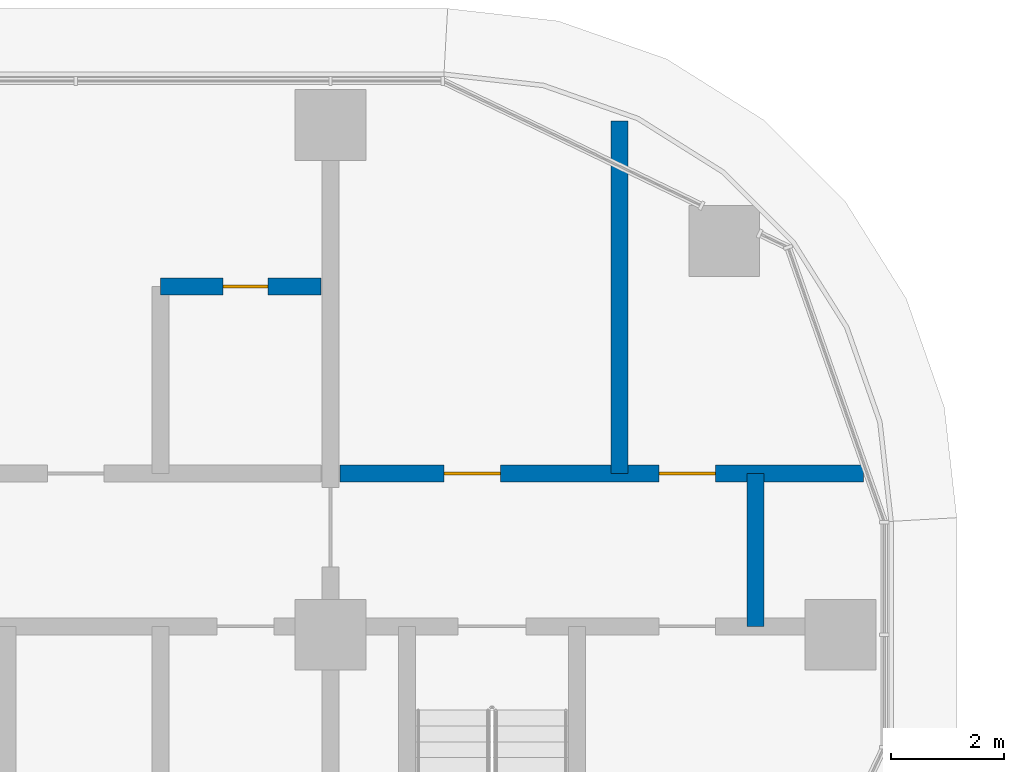
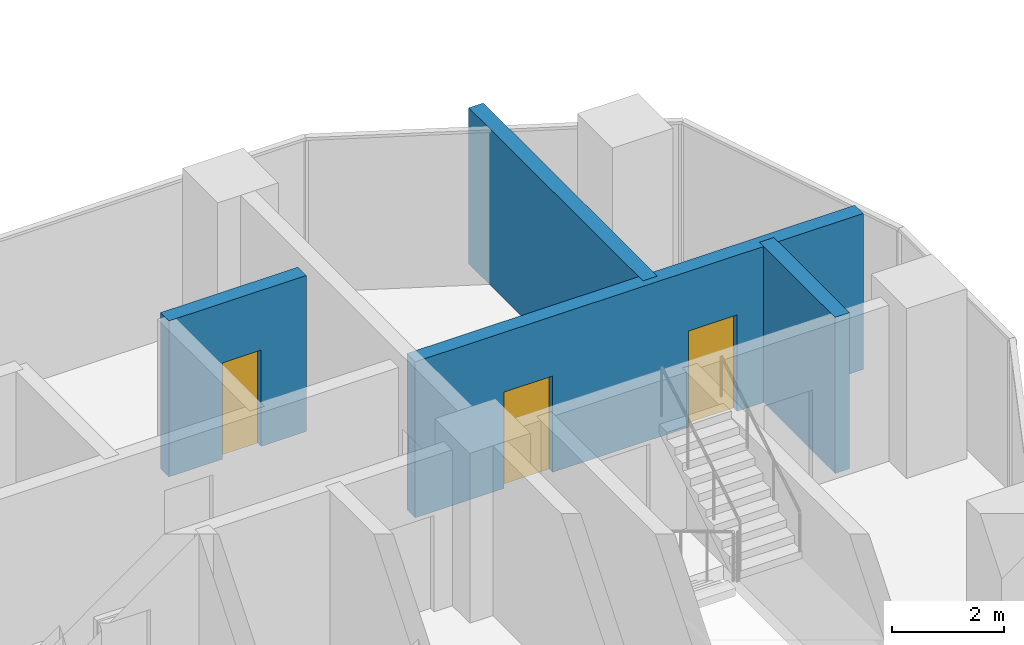
# One storey, part 23 of 40: 4 walls, 3 doors, 3 openings.
"""IFC4 building model written with IfcOpenShell, lengths in metres."""

from ifc_helpers import new_model, si_unit, direction, frame, frame_2d, origin, place, context, subcontext, project, spatial, rectangle, extrude, material, layer, layer_set, type_object, element, fill, save


model = new_model("IFC4")

# Units and contexts
model_context = context("Model", 3, precision=1e-05, world=origin(), true_north=direction((0.0, 1.0)))
body_context = subcontext(model_context, "Body", "Model", "MODEL_VIEW")
ifc_project = project(units=[si_unit("LENGTHUNIT", "METRE"), si_unit("AREAUNIT", "SQUARE_METRE"), si_unit("VOLUMEUNIT", "CUBIC_METRE"), si_unit("PLANEANGLEUNIT", "RADIAN"), si_unit("MASSUNIT", "GRAM", prefix="KILO")], contexts=[model_context])

# Site, building, storey
site_placement = place(None, origin())
site = spatial("IfcSite", under=ifc_project, at=site_placement, CompositionType="ELEMENT")
building_placement = place(site_placement, origin())
building = spatial("IfcBuilding", under=site, at=building_placement, Name="Ogive Portal Towers", CompositionType="ELEMENT")
storey_placement = place(building_placement, frame((0.0, 0.0, 87.10009765625)))
storey = spatial("IfcBuildingStorey", under=building, at=storey_placement, Name="L20", CompositionType="ELEMENT", Elevation=87.10009765625)

# Wall, openings, doors
ifc_material_1 = material(Name="Gypsum board partition on steel studs", Category="steel")
ifc_layer_1 = layer(ifc_material_1, 0.300048828125)
ifc_layer_set_1 = layer_set([ifc_layer_1], Name="WT-PART-300-EI 120")
wall_type_1 = type_object("IfcWallType", Name="WT-PART-300-EI 120", PredefinedType="PARTITIONING", material=ifc_layer_set_1)
wall_1_placement = place(storey_placement, frame((85.669921875, 33.35009765625, 0.0), z_axis=(0.0, 0.0, 1.0), x_axis=(1.0, 0.0, 0.0)))
wall_1 = element("IfcWall", 1, at=wall_1_placement, inside=storey, type_object=wall_type_1, Name="Wall L20:w010", PredefinedType="PARTITIONING", context=body_context, shape_type="SweptSolid", body=[
    extrude(rectangle(XDim=9.237060546875, YDim=0.300048828125, at=frame_2d((4.61865234375, 0.0))), origin(), (0.0, 0.0, 1.0), 3.39990234375),
])
opening_1_placement = place(wall_1_placement, frame((1.830078125, 0.0, 0.0)))
opening_1 = element("IfcOpeningElement", 2, at=opening_1_placement, cuts=wall_1, Name="Opening D07-062", PredefinedType="OPENING", context=body_context, shape_type="SweptSolid", body=[
    extrude(rectangle(XDim=1.0, YDim=2.10009765625, at=frame_2d((0.5, 1.050048828125))), frame((0.0, 0.16015625, 0.0), z_axis=(0.0, -1.0, 0.0), x_axis=(1.0, 0.0, 0.0)), (0.0, 0.0, 1.0), 0.320068359375),
])
opening_2_placement = place(wall_1_placement, frame((5.6298828125, 0.0, 0.0)))
opening_2 = element("IfcOpeningElement", 3, at=opening_2_placement, cuts=wall_1, Name="Opening D07-063", PredefinedType="OPENING", context=body_context, shape_type="SweptSolid", body=[
    extrude(rectangle(XDim=1.0, YDim=2.10009765625, at=frame_2d((0.5, 1.050048828125))), frame((0.0, 0.16015625, 0.0), z_axis=(0.0, -1.0, 0.0), x_axis=(1.0, 0.0, 0.0)), (0.0, 0.0, 1.0), 0.320068359375),
])
ifc_material_2 = material(Name="Steel fire door", Category="steel")
door_type_1 = type_object("IfcDoorType", Name="DT-SERVICE-1000x2100-FD90S", OperationType="SINGLE_SWING_LEFT", PredefinedType="DOOR", material=ifc_material_2)
door_1_placement = place(opening_1_placement, origin())
door_1 = element("IfcDoor", 4, at=door_1_placement, inside=storey, type_object=door_type_1, Name="Door D07-062", OperationType="SINGLE_SWING_LEFT", OverallHeight=2.10009765625, OverallWidth=1.0, PredefinedType="DOOR", context=body_context, shape_type="SweptSolid", body=[
    extrude(rectangle(XDim=1.0, YDim=2.10009765625, at=frame_2d((0.5, 1.050048828125))), frame((0.0, 0.02490234375, 0.0), z_axis=(0.0, -1.0, 0.0), x_axis=(1.0, 0.0, 0.0)), (0.0, 0.0, 1.0), 0.050048828125),
])
fill(opening_1, door_1)
door_2_placement = place(opening_2_placement, origin())
door_2 = element("IfcDoor", 5, at=door_2_placement, inside=storey, type_object=door_type_1, Name="Riser access door D07-063", OperationType="SINGLE_SWING_RIGHT", OverallHeight=2.10009765625, OverallWidth=1.0, PredefinedType="DOOR", context=body_context, shape_type="SweptSolid", body=[
    extrude(rectangle(XDim=1.0, YDim=2.10009765625, at=frame_2d((0.5, 1.050048828125))), frame((0.0, 0.02490234375, 0.0), z_axis=(0.0, -1.0, 0.0), x_axis=(1.0, 0.0, 0.0)), (0.0, 0.0, 1.0), 0.050048828125),
])
fill(opening_2, door_2)

# Wall
wall_2_placement = place(storey_placement, frame((93.0, 30.64990234375, 0.0), z_axis=(0.0, 0.0, 1.0), x_axis=(0.0, 1.0, 0.0)))
element("IfcWall", 6, at=wall_2_placement, inside=storey, type_object=wall_type_1, Name="Wall L20:w064", PredefinedType="PARTITIONING", context=body_context, shape_type="SweptSolid", body=[
    extrude(rectangle(XDim=2.7001953125, YDim=0.300048828125, at=frame_2d((1.35009765625, 0.0))), origin(), (0.0, 0.0, 1.0), 3.39990234375),
])

# Wall, opening, door
ifc_layer_2 = layer(ifc_material_1, 0.300048828125)
ifc_layer_set_2 = layer_set([ifc_layer_2], Name="WT-PART-300-EI 60")
wall_type_2 = type_object("IfcWallType", Name="WT-PART-300-EI 60", PredefinedType="PARTITIONING", material=ifc_layer_set_2)
wall_3_placement = place(storey_placement, frame((82.5, 36.64990234375, 0.0), z_axis=(0.0, 0.0, 1.0), x_axis=(1.0, 0.0, 0.0)))
wall_3 = element("IfcWall", 7, at=wall_3_placement, inside=storey, type_object=wall_type_2, Name="Wall L20:w015", PredefinedType="PARTITIONING", context=body_context, shape_type="SweptSolid", body=[
    extrude(rectangle(XDim=2.830078125, YDim=0.300048828125, at=frame_2d((1.4150390625, 0.0))), origin(), (0.0, 0.0, 1.0), 3.39990234375),
])
opening_3_placement = place(wall_3_placement, frame((1.10009765625, 0.0, 0.0)))
opening_3 = element("IfcOpeningElement", 8, at=opening_3_placement, cuts=wall_3, Name="Opening D07-040", PredefinedType="OPENING", context=body_context, shape_type="SweptSolid", body=[
    extrude(rectangle(XDim=0.800048828125, YDim=2.10009765625, at=frame_2d((0.39990234375, 1.050048828125))), frame((0.0, 0.16015625, 0.0), z_axis=(0.0, -1.0, 0.0), x_axis=(1.0, 0.0, 0.0)), (0.0, 0.0, 1.0), 0.320068359375),
])
door_type_2 = type_object("IfcDoorType", Name="DT-BATH-800x2100-FD60S", OperationType="SINGLE_SWING_LEFT", PredefinedType="DOOR", material=ifc_material_2)
door_3_placement = place(opening_3_placement, origin())
door_3 = element("IfcDoor", 9, at=door_3_placement, inside=storey, type_object=door_type_2, Name="Door D07-040", OperationType="SINGLE_SWING_LEFT", OverallHeight=2.10009765625, OverallWidth=0.800048828125, PredefinedType="DOOR", context=body_context, shape_type="SweptSolid", body=[
    extrude(rectangle(XDim=0.800048828125, YDim=2.10009765625, at=frame_2d((0.39990234375, 1.050048828125))), frame((0.0, 0.02490234375, 0.0), z_axis=(0.0, -1.0, 0.0), x_axis=(1.0, 0.0, 0.0)), (0.0, 0.0, 1.0), 0.050048828125),
])
fill(opening_3, door_3)

# Wall
wall_4_placement = place(storey_placement, frame((90.60009765625, 33.35009765625, 0.0), z_axis=(0.0, 0.0, 1.0), x_axis=(0.0, 1.0, 0.0)))
element("IfcWall", 10, at=wall_4_placement, inside=storey, type_object=wall_type_2, Name="Wall L20:w063", PredefinedType="PARTITIONING", context=body_context, shape_type="SweptSolid", body=[
    extrude(rectangle(XDim=6.218994140625, YDim=0.300048828125, at=frame_2d((3.109375, 0.0))), origin(), (0.0, 0.0, 1.0), 3.39990234375),
])

save(model, "model.ifc")
